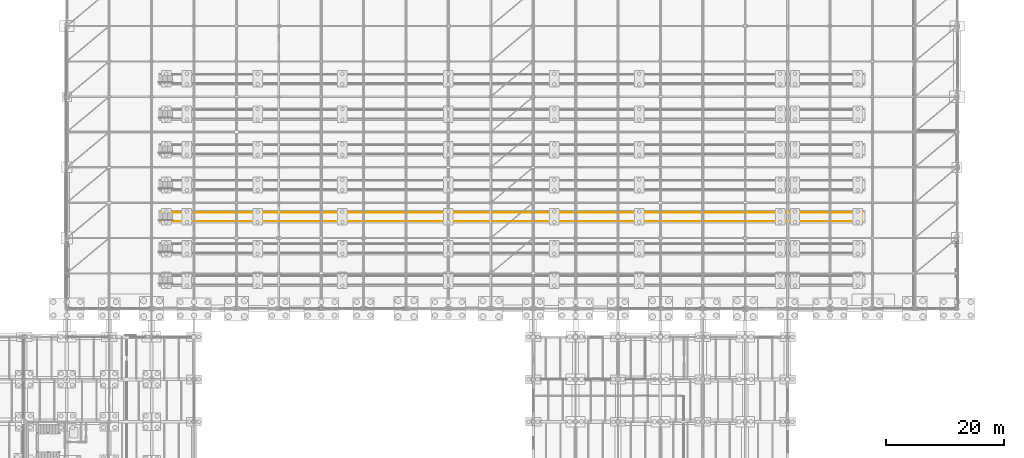
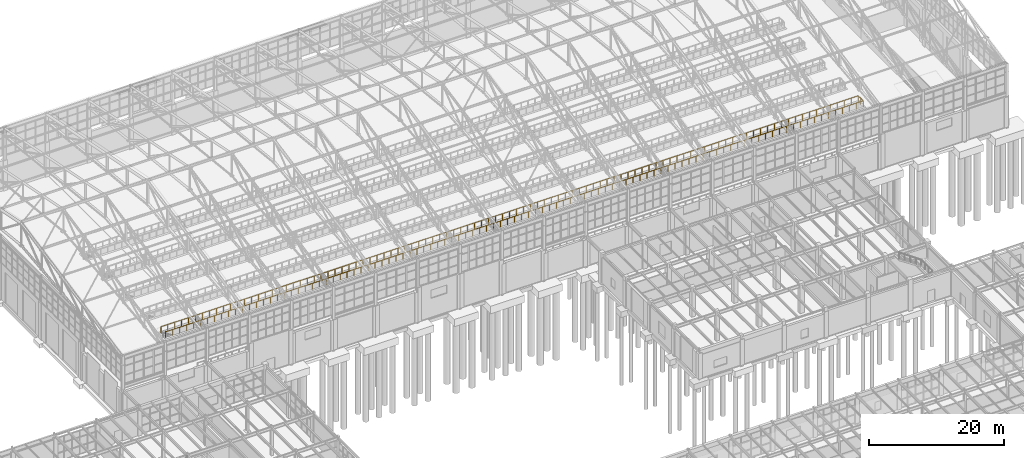
# One storey, part 284 of 293: 1 railing.
"""IFC4 building model written with IfcOpenShell, lengths in metres."""

from ifc_helpers import new_model, si_unit, direction, frame, origin, origin_2d, place, context, subcontext, project, spatial, circle, extrude, material, type_object, element, save


model = new_model("IFC4")

# Units and contexts
model_context = context("Model", 3, precision=1e-05, world=origin(), true_north=direction((0.0, 1.0)))
body_context = subcontext(model_context, "Body", "Model", "MODEL_VIEW")
ifc_project = project(units=[si_unit("LENGTHUNIT", "METRE"), si_unit("AREAUNIT", "SQUARE_METRE"), si_unit("VOLUMEUNIT", "CUBIC_METRE"), si_unit("PLANEANGLEUNIT", "RADIAN"), si_unit("MASSUNIT", "GRAM", prefix="KILO")], contexts=[model_context])

# Site, building, storey
site_placement = place(None, origin())
site = spatial("IfcSite", under=ifc_project, at=site_placement, CompositionType="ELEMENT")
building_placement = place(site_placement, origin())
building = spatial("IfcBuilding", under=site, at=building_placement, Name="Kemerveld Promenade Tramway Depot", CompositionType="ELEMENT")
storey_placement = place(building_placement, origin())
storey = spatial("IfcBuildingStorey", under=building, at=storey_placement, Name="L00", CompositionType="ELEMENT", Elevation=0.0)

# Railing
ifc_material = material(Name="Galvanised painted steel balustrade", Category="steel")
railing_type = type_object("IfcRailingType", Name="RL-GRD-1100", PredefinedType="GUARDRAIL", material=ifc_material)
railing_placement = place(storey_placement, frame((51.949951171875, 98.9951171875, 0.0)))
element("IfcRailing", 1, at=railing_placement, inside=storey, type_object=railing_type, Name="RL-PIT-PIT-03", PredefinedType="GUARDRAIL", context=body_context, shape_type="SweptSolid", body=[
    extrude(circle(Radius=0.02392578125, at=origin_2d()), frame((0.0, 0.0, 1.09619140625), z_axis=(0.0, -1.0, 0.0), x_axis=(1.0, 0.0, 0.0)), (0.0, 0.0, 1.0), 0.14501953125),
    extrude(circle(Radius=0.02392578125, at=origin_2d()), frame((0.0, -0.14501953125, 1.09619140625), z_axis=(1.0, 0.0, 0.0), x_axis=(0.0, 1.0, 0.0)), (0.0, 0.0, 1.0), 119.300048828125),
    extrude(circle(Radius=0.02392578125, at=origin_2d()), frame((119.300048828125, -0.14501953125, 1.09619140625), z_axis=(0.0, 1.0, 0.0), x_axis=(-1.0, 0.0, 0.0)), (0.0, 0.0, 1.0), 1.5),
    extrude(circle(Radius=0.02392578125, at=origin_2d()), frame((119.300048828125, 1.35498046875, 1.09619140625), z_axis=(-1.0, 0.0, 0.0), x_axis=(0.0, -1.0, 0.0)), (0.0, 0.0, 1.0), 119.300048828125),
    extrude(circle(Radius=0.02392578125, at=origin_2d()), frame((0.0, 1.35498046875, 1.09619140625), z_axis=(0.0, -1.0, 0.0), x_axis=(1.0, 0.0, 0.0)), (0.0, 0.0, 1.0), 0.14501953125),
    extrude(circle(Radius=0.02099609375, at=origin_2d()), origin(), (0.0, 0.0, 1.0), 1.072021484375),
    extrude(circle(Radius=0.02099609375, at=origin_2d()), frame((0.0, -0.14501953125, 0.0)), (0.0, 0.0, 1.0), 1.072021484375),
    extrude(circle(Radius=0.02099609375, at=origin_2d()), frame((1.193115234375, -0.14501953125, 0.0)), (0.0, 0.0, 1.0), 1.072021484375),
    extrude(circle(Radius=0.02099609375, at=origin_2d()), frame((2.385986328125, -0.14501953125, 0.0)), (0.0, 0.0, 1.0), 1.072021484375),
    extrude(circle(Radius=0.02099609375, at=origin_2d()), frame((3.5791015625, -0.14501953125, 0.0)), (0.0, 0.0, 1.0), 1.072021484375),
    extrude(circle(Radius=0.02099609375, at=origin_2d()), frame((4.77197265625, -0.14501953125, 0.0)), (0.0, 0.0, 1.0), 1.072021484375),
    extrude(circle(Radius=0.02099609375, at=origin_2d()), frame((5.965087890625, -0.14501953125, 0.0)), (0.0, 0.0, 1.0), 1.072021484375),
    extrude(circle(Radius=0.02099609375, at=origin_2d()), frame((7.157958984375, -0.14501953125, 0.0)), (0.0, 0.0, 1.0), 1.072021484375),
    extrude(circle(Radius=0.02099609375, at=origin_2d()), frame((8.35107421875, -0.14501953125, 0.0)), (0.0, 0.0, 1.0), 1.072021484375),
    extrude(circle(Radius=0.02099609375, at=origin_2d()), frame((9.5439453125, -0.14501953125, 0.0)), (0.0, 0.0, 1.0), 1.072021484375),
    extrude(circle(Radius=0.02099609375, at=origin_2d()), frame((10.737060546875, -0.14501953125, 0.0)), (0.0, 0.0, 1.0), 1.072021484375),
    extrude(circle(Radius=0.02099609375, at=origin_2d()), frame((11.929931640625, -0.14501953125, 0.0)), (0.0, 0.0, 1.0), 1.072021484375),
    extrude(circle(Radius=0.02099609375, at=origin_2d()), frame((13.123046875, -0.14501953125, 0.0)), (0.0, 0.0, 1.0), 1.072021484375),
    extrude(circle(Radius=0.02099609375, at=origin_2d()), frame((14.31591796875, -0.14501953125, 0.0)), (0.0, 0.0, 1.0), 1.072021484375),
    extrude(circle(Radius=0.02099609375, at=origin_2d()), frame((15.509033203125, -0.14501953125, 0.0)), (0.0, 0.0, 1.0), 1.072021484375),
    extrude(circle(Radius=0.02099609375, at=origin_2d()), frame((16.701904296875, -0.14501953125, 0.0)), (0.0, 0.0, 1.0), 1.072021484375),
    extrude(circle(Radius=0.02099609375, at=origin_2d()), frame((17.89501953125, -0.14501953125, 0.0)), (0.0, 0.0, 1.0), 1.072021484375),
    extrude(circle(Radius=0.02099609375, at=origin_2d()), frame((19.087890625, -0.14501953125, 0.0)), (0.0, 0.0, 1.0), 1.072021484375),
    extrude(circle(Radius=0.02099609375, at=origin_2d()), frame((20.281005859375, -0.14501953125, 0.0)), (0.0, 0.0, 1.0), 1.072021484375),
    extrude(circle(Radius=0.02099609375, at=origin_2d()), frame((21.47412109375, -0.14501953125, 0.0)), (0.0, 0.0, 1.0), 1.072021484375),
    extrude(circle(Radius=0.02099609375, at=origin_2d()), frame((22.6669921875, -0.14501953125, 0.0)), (0.0, 0.0, 1.0), 1.072021484375),
    extrude(circle(Radius=0.02099609375, at=origin_2d()), frame((23.860107421875, -0.14501953125, 0.0)), (0.0, 0.0, 1.0), 1.072021484375),
    extrude(circle(Radius=0.02099609375, at=origin_2d()), frame((25.052978515625, -0.14501953125, 0.0)), (0.0, 0.0, 1.0), 1.072021484375),
    extrude(circle(Radius=0.02099609375, at=origin_2d()), frame((26.24609375, -0.14501953125, 0.0)), (0.0, 0.0, 1.0), 1.072021484375),
    extrude(circle(Radius=0.02099609375, at=origin_2d()), frame((27.43896484375, -0.14501953125, 0.0)), (0.0, 0.0, 1.0), 1.072021484375),
    extrude(circle(Radius=0.02099609375, at=origin_2d()), frame((28.632080078125, -0.14501953125, 0.0)), (0.0, 0.0, 1.0), 1.072021484375),
    extrude(circle(Radius=0.02099609375, at=origin_2d()), frame((29.824951171875, -0.14501953125, 0.0)), (0.0, 0.0, 1.0), 1.072021484375),
    extrude(circle(Radius=0.02099609375, at=origin_2d()), frame((31.01806640625, -0.14501953125, 0.0)), (0.0, 0.0, 1.0), 1.072021484375),
    extrude(circle(Radius=0.02099609375, at=origin_2d()), frame((32.2109375, -0.14501953125, 0.0)), (0.0, 0.0, 1.0), 1.072021484375),
    extrude(circle(Radius=0.02099609375, at=origin_2d()), frame((33.404052734375, -0.14501953125, 0.0)), (0.0, 0.0, 1.0), 1.072021484375),
    extrude(circle(Radius=0.02099609375, at=origin_2d()), frame((34.596923828125, -0.14501953125, 0.0)), (0.0, 0.0, 1.0), 1.072021484375),
    extrude(circle(Radius=0.02099609375, at=origin_2d()), frame((35.7900390625, -0.14501953125, 0.0)), (0.0, 0.0, 1.0), 1.072021484375),
    extrude(circle(Radius=0.02099609375, at=origin_2d()), frame((36.98291015625, -0.14501953125, 0.0)), (0.0, 0.0, 1.0), 1.072021484375),
    extrude(circle(Radius=0.02099609375, at=origin_2d()), frame((38.176025390625, -0.14501953125, 0.0)), (0.0, 0.0, 1.0), 1.072021484375),
    extrude(circle(Radius=0.02099609375, at=origin_2d()), frame((39.368896484375, -0.14501953125, 0.0)), (0.0, 0.0, 1.0), 1.072021484375),
    extrude(circle(Radius=0.02099609375, at=origin_2d()), frame((40.56201171875, -0.14501953125, 0.0)), (0.0, 0.0, 1.0), 1.072021484375),
    extrude(circle(Radius=0.02099609375, at=origin_2d()), frame((41.755126953125, -0.14501953125, 0.0)), (0.0, 0.0, 1.0), 1.072021484375),
    extrude(circle(Radius=0.02099609375, at=origin_2d()), frame((42.947998046875, -0.14501953125, 0.0)), (0.0, 0.0, 1.0), 1.072021484375),
    extrude(circle(Radius=0.02099609375, at=origin_2d()), frame((44.14111328125, -0.14501953125, 0.0)), (0.0, 0.0, 1.0), 1.072021484375),
    extrude(circle(Radius=0.02099609375, at=origin_2d()), frame((45.333984375, -0.14501953125, 0.0)), (0.0, 0.0, 1.0), 1.072021484375),
    extrude(circle(Radius=0.02099609375, at=origin_2d()), frame((46.527099609375, -0.14501953125, 0.0)), (0.0, 0.0, 1.0), 1.072021484375),
    extrude(circle(Radius=0.02099609375, at=origin_2d()), frame((47.719970703125, -0.14501953125, 0.0)), (0.0, 0.0, 1.0), 1.072021484375),
    extrude(circle(Radius=0.02099609375, at=origin_2d()), frame((48.9130859375, -0.14501953125, 0.0)), (0.0, 0.0, 1.0), 1.072021484375),
    extrude(circle(Radius=0.02099609375, at=origin_2d()), frame((50.10595703125, -0.14501953125, 0.0)), (0.0, 0.0, 1.0), 1.072021484375),
    extrude(circle(Radius=0.02099609375, at=origin_2d()), frame((51.299072265625, -0.14501953125, 0.0)), (0.0, 0.0, 1.0), 1.072021484375),
    extrude(circle(Radius=0.02099609375, at=origin_2d()), frame((52.491943359375, -0.14501953125, 0.0)), (0.0, 0.0, 1.0), 1.072021484375),
    extrude(circle(Radius=0.02099609375, at=origin_2d()), frame((53.68505859375, -0.14501953125, 0.0)), (0.0, 0.0, 1.0), 1.072021484375),
    extrude(circle(Radius=0.02099609375, at=origin_2d()), frame((54.8779296875, -0.14501953125, 0.0)), (0.0, 0.0, 1.0), 1.072021484375),
    extrude(circle(Radius=0.02099609375, at=origin_2d()), frame((56.071044921875, -0.14501953125, 0.0)), (0.0, 0.0, 1.0), 1.072021484375),
    extrude(circle(Radius=0.02099609375, at=origin_2d()), frame((57.263916015625, -0.14501953125, 0.0)), (0.0, 0.0, 1.0), 1.072021484375),
    extrude(circle(Radius=0.02099609375, at=origin_2d()), frame((58.45703125, -0.14501953125, 0.0)), (0.0, 0.0, 1.0), 1.072021484375),
    extrude(circle(Radius=0.02099609375, at=origin_2d()), frame((59.64990234375, -0.14501953125, 0.0)), (0.0, 0.0, 1.0), 1.072021484375),
    extrude(circle(Radius=0.02099609375, at=origin_2d()), frame((60.843017578125, -0.14501953125, 0.0)), (0.0, 0.0, 1.0), 1.072021484375),
    extrude(circle(Radius=0.02099609375, at=origin_2d()), frame((62.0361328125, -0.14501953125, 0.0)), (0.0, 0.0, 1.0), 1.072021484375),
    extrude(circle(Radius=0.02099609375, at=origin_2d()), frame((63.22900390625, -0.14501953125, 0.0)), (0.0, 0.0, 1.0), 1.072021484375),
    extrude(circle(Radius=0.02099609375, at=origin_2d()), frame((64.422119140625, -0.14501953125, 0.0)), (0.0, 0.0, 1.0), 1.072021484375),
    extrude(circle(Radius=0.02099609375, at=origin_2d()), frame((65.614990234375, -0.14501953125, 0.0)), (0.0, 0.0, 1.0), 1.072021484375),
    extrude(circle(Radius=0.02099609375, at=origin_2d()), frame((66.80810546875, -0.14501953125, 0.0)), (0.0, 0.0, 1.0), 1.072021484375),
    extrude(circle(Radius=0.02099609375, at=origin_2d()), frame((68.0009765625, -0.14501953125, 0.0)), (0.0, 0.0, 1.0), 1.072021484375),
    extrude(circle(Radius=0.02099609375, at=origin_2d()), frame((69.194091796875, -0.14501953125, 0.0)), (0.0, 0.0, 1.0), 1.072021484375),
    extrude(circle(Radius=0.02099609375, at=origin_2d()), frame((70.386962890625, -0.14501953125, 0.0)), (0.0, 0.0, 1.0), 1.072021484375),
    extrude(circle(Radius=0.02099609375, at=origin_2d()), frame((71.580078125, -0.14501953125, 0.0)), (0.0, 0.0, 1.0), 1.072021484375),
    extrude(circle(Radius=0.02099609375, at=origin_2d()), frame((72.77294921875, -0.14501953125, 0.0)), (0.0, 0.0, 1.0), 1.072021484375),
    extrude(circle(Radius=0.02099609375, at=origin_2d()), frame((73.966064453125, -0.14501953125, 0.0)), (0.0, 0.0, 1.0), 1.072021484375),
    extrude(circle(Radius=0.02099609375, at=origin_2d()), frame((75.158935546875, -0.14501953125, 0.0)), (0.0, 0.0, 1.0), 1.072021484375),
    extrude(circle(Radius=0.02099609375, at=origin_2d()), frame((76.35205078125, -0.14501953125, 0.0)), (0.0, 0.0, 1.0), 1.072021484375),
    extrude(circle(Radius=0.02099609375, at=origin_2d()), frame((77.544921875, -0.14501953125, 0.0)), (0.0, 0.0, 1.0), 1.072021484375),
    extrude(circle(Radius=0.02099609375, at=origin_2d()), frame((78.738037109375, -0.14501953125, 0.0)), (0.0, 0.0, 1.0), 1.072021484375),
    extrude(circle(Radius=0.02099609375, at=origin_2d()), frame((79.93115234375, -0.14501953125, 0.0)), (0.0, 0.0, 1.0), 1.072021484375),
    extrude(circle(Radius=0.02099609375, at=origin_2d()), frame((81.1240234375, -0.14501953125, 0.0)), (0.0, 0.0, 1.0), 1.072021484375),
    extrude(circle(Radius=0.02099609375, at=origin_2d()), frame((82.317138671875, -0.14501953125, 0.0)), (0.0, 0.0, 1.0), 1.072021484375),
    extrude(circle(Radius=0.02099609375, at=origin_2d()), frame((83.510009765625, -0.14501953125, 0.0)), (0.0, 0.0, 1.0), 1.072021484375),
    extrude(circle(Radius=0.02099609375, at=origin_2d()), frame((84.703125, -0.14501953125, 0.0)), (0.0, 0.0, 1.0), 1.072021484375),
    extrude(circle(Radius=0.02099609375, at=origin_2d()), frame((85.89599609375, -0.14501953125, 0.0)), (0.0, 0.0, 1.0), 1.072021484375),
    extrude(circle(Radius=0.02099609375, at=origin_2d()), frame((87.089111328125, -0.14501953125, 0.0)), (0.0, 0.0, 1.0), 1.072021484375),
    extrude(circle(Radius=0.02099609375, at=origin_2d()), frame((88.281982421875, -0.14501953125, 0.0)), (0.0, 0.0, 1.0), 1.072021484375),
    extrude(circle(Radius=0.02099609375, at=origin_2d()), frame((89.47509765625, -0.14501953125, 0.0)), (0.0, 0.0, 1.0), 1.072021484375),
    extrude(circle(Radius=0.02099609375, at=origin_2d()), frame((90.66796875, -0.14501953125, 0.0)), (0.0, 0.0, 1.0), 1.072021484375),
    extrude(circle(Radius=0.02099609375, at=origin_2d()), frame((91.861083984375, -0.14501953125, 0.0)), (0.0, 0.0, 1.0), 1.072021484375),
    extrude(circle(Radius=0.02099609375, at=origin_2d()), frame((93.053955078125, -0.14501953125, 0.0)), (0.0, 0.0, 1.0), 1.072021484375),
    extrude(circle(Radius=0.02099609375, at=origin_2d()), frame((94.2470703125, -0.14501953125, 0.0)), (0.0, 0.0, 1.0), 1.072021484375),
    extrude(circle(Radius=0.02099609375, at=origin_2d()), frame((95.43994140625, -0.14501953125, 0.0)), (0.0, 0.0, 1.0), 1.072021484375),
    extrude(circle(Radius=0.02099609375, at=origin_2d()), frame((96.633056640625, -0.14501953125, 0.0)), (0.0, 0.0, 1.0), 1.072021484375),
    extrude(circle(Radius=0.02099609375, at=origin_2d()), frame((97.825927734375, -0.14501953125, 0.0)), (0.0, 0.0, 1.0), 1.072021484375),
    extrude(circle(Radius=0.02099609375, at=origin_2d()), frame((99.01904296875, -0.14501953125, 0.0)), (0.0, 0.0, 1.0), 1.072021484375),
    extrude(circle(Radius=0.02099609375, at=origin_2d()), frame((100.212158203125, -0.14501953125, 0.0)), (0.0, 0.0, 1.0), 1.072021484375),
    extrude(circle(Radius=0.02099609375, at=origin_2d()), frame((101.405029296875, -0.14501953125, 0.0)), (0.0, 0.0, 1.0), 1.072021484375),
    extrude(circle(Radius=0.02099609375, at=origin_2d()), frame((102.59814453125, -0.14501953125, 0.0)), (0.0, 0.0, 1.0), 1.072021484375),
    extrude(circle(Radius=0.02099609375, at=origin_2d()), frame((103.791015625, -0.14501953125, 0.0)), (0.0, 0.0, 1.0), 1.072021484375),
    extrude(circle(Radius=0.02099609375, at=origin_2d()), frame((104.984130859375, -0.14501953125, 0.0)), (0.0, 0.0, 1.0), 1.072021484375),
    extrude(circle(Radius=0.02099609375, at=origin_2d()), frame((106.177001953125, -0.14501953125, 0.0)), (0.0, 0.0, 1.0), 1.072021484375),
    extrude(circle(Radius=0.02099609375, at=origin_2d()), frame((107.3701171875, -0.14501953125, 0.0)), (0.0, 0.0, 1.0), 1.072021484375),
    extrude(circle(Radius=0.02099609375, at=origin_2d()), frame((108.56298828125, -0.14501953125, 0.0)), (0.0, 0.0, 1.0), 1.072021484375),
    extrude(circle(Radius=0.02099609375, at=origin_2d()), frame((109.756103515625, -0.14501953125, 0.0)), (0.0, 0.0, 1.0), 1.072021484375),
    extrude(circle(Radius=0.02099609375, at=origin_2d()), frame((110.948974609375, -0.14501953125, 0.0)), (0.0, 0.0, 1.0), 1.072021484375),
    extrude(circle(Radius=0.02099609375, at=origin_2d()), frame((112.14208984375, -0.14501953125, 0.0)), (0.0, 0.0, 1.0), 1.072021484375),
    extrude(circle(Radius=0.02099609375, at=origin_2d()), frame((113.3349609375, -0.14501953125, 0.0)), (0.0, 0.0, 1.0), 1.072021484375),
    extrude(circle(Radius=0.02099609375, at=origin_2d()), frame((114.528076171875, -0.14501953125, 0.0)), (0.0, 0.0, 1.0), 1.072021484375),
    extrude(circle(Radius=0.02099609375, at=origin_2d()), frame((115.720947265625, -0.14501953125, 0.0)), (0.0, 0.0, 1.0), 1.072021484375),
    extrude(circle(Radius=0.02099609375, at=origin_2d()), frame((116.9140625, -0.14501953125, 0.0)), (0.0, 0.0, 1.0), 1.072021484375),
    extrude(circle(Radius=0.02099609375, at=origin_2d()), frame((118.10693359375, -0.14501953125, 0.0)), (0.0, 0.0, 1.0), 1.072021484375),
    extrude(circle(Radius=0.02099609375, at=origin_2d()), frame((119.300048828125, -0.14501953125, 0.0)), (0.0, 0.0, 1.0), 1.072021484375),
    extrude(circle(Radius=0.02099609375, at=origin_2d()), frame((119.300048828125, 0.60498046875, 0.0)), (0.0, 0.0, 1.0), 1.072021484375),
    extrude(circle(Radius=0.02099609375, at=origin_2d()), frame((119.300048828125, 1.35498046875, 0.0)), (0.0, 0.0, 1.0), 1.072021484375),
    extrude(circle(Radius=0.02099609375, at=origin_2d()), frame((118.10693359375, 1.35498046875, 0.0)), (0.0, 0.0, 1.0), 1.072021484375),
    extrude(circle(Radius=0.02099609375, at=origin_2d()), frame((116.9140625, 1.35498046875, 0.0)), (0.0, 0.0, 1.0), 1.072021484375),
    extrude(circle(Radius=0.02099609375, at=origin_2d()), frame((115.720947265625, 1.35498046875, 0.0)), (0.0, 0.0, 1.0), 1.072021484375),
    extrude(circle(Radius=0.02099609375, at=origin_2d()), frame((114.528076171875, 1.35498046875, 0.0)), (0.0, 0.0, 1.0), 1.072021484375),
    extrude(circle(Radius=0.02099609375, at=origin_2d()), frame((113.3349609375, 1.35498046875, 0.0)), (0.0, 0.0, 1.0), 1.072021484375),
    extrude(circle(Radius=0.02099609375, at=origin_2d()), frame((112.14208984375, 1.35498046875, 0.0)), (0.0, 0.0, 1.0), 1.072021484375),
    extrude(circle(Radius=0.02099609375, at=origin_2d()), frame((110.948974609375, 1.35498046875, 0.0)), (0.0, 0.0, 1.0), 1.072021484375),
    extrude(circle(Radius=0.02099609375, at=origin_2d()), frame((109.756103515625, 1.35498046875, 0.0)), (0.0, 0.0, 1.0), 1.072021484375),
    extrude(circle(Radius=0.02099609375, at=origin_2d()), frame((108.56298828125, 1.35498046875, 0.0)), (0.0, 0.0, 1.0), 1.072021484375),
    extrude(circle(Radius=0.02099609375, at=origin_2d()), frame((107.3701171875, 1.35498046875, 0.0)), (0.0, 0.0, 1.0), 1.072021484375),
    extrude(circle(Radius=0.02099609375, at=origin_2d()), frame((106.177001953125, 1.35498046875, 0.0)), (0.0, 0.0, 1.0), 1.072021484375),
    extrude(circle(Radius=0.02099609375, at=origin_2d()), frame((104.984130859375, 1.35498046875, 0.0)), (0.0, 0.0, 1.0), 1.072021484375),
    extrude(circle(Radius=0.02099609375, at=origin_2d()), frame((103.791015625, 1.35498046875, 0.0)), (0.0, 0.0, 1.0), 1.072021484375),
    extrude(circle(Radius=0.02099609375, at=origin_2d()), frame((102.59814453125, 1.35498046875, 0.0)), (0.0, 0.0, 1.0), 1.072021484375),
    extrude(circle(Radius=0.02099609375, at=origin_2d()), frame((101.405029296875, 1.35498046875, 0.0)), (0.0, 0.0, 1.0), 1.072021484375),
    extrude(circle(Radius=0.02099609375, at=origin_2d()), frame((100.212158203125, 1.35498046875, 0.0)), (0.0, 0.0, 1.0), 1.072021484375),
    extrude(circle(Radius=0.02099609375, at=origin_2d()), frame((99.01904296875, 1.35498046875, 0.0)), (0.0, 0.0, 1.0), 1.072021484375),
    extrude(circle(Radius=0.02099609375, at=origin_2d()), frame((97.825927734375, 1.35498046875, 0.0)), (0.0, 0.0, 1.0), 1.072021484375),
    extrude(circle(Radius=0.02099609375, at=origin_2d()), frame((96.633056640625, 1.35498046875, 0.0)), (0.0, 0.0, 1.0), 1.072021484375),
    extrude(circle(Radius=0.02099609375, at=origin_2d()), frame((95.43994140625, 1.35498046875, 0.0)), (0.0, 0.0, 1.0), 1.072021484375),
    extrude(circle(Radius=0.02099609375, at=origin_2d()), frame((94.2470703125, 1.35498046875, 0.0)), (0.0, 0.0, 1.0), 1.072021484375),
    extrude(circle(Radius=0.02099609375, at=origin_2d()), frame((93.053955078125, 1.35498046875, 0.0)), (0.0, 0.0, 1.0), 1.072021484375),
    extrude(circle(Radius=0.02099609375, at=origin_2d()), frame((91.861083984375, 1.35498046875, 0.0)), (0.0, 0.0, 1.0), 1.072021484375),
    extrude(circle(Radius=0.02099609375, at=origin_2d()), frame((90.66796875, 1.35498046875, 0.0)), (0.0, 0.0, 1.0), 1.072021484375),
    extrude(circle(Radius=0.02099609375, at=origin_2d()), frame((89.47509765625, 1.35498046875, 0.0)), (0.0, 0.0, 1.0), 1.072021484375),
    extrude(circle(Radius=0.02099609375, at=origin_2d()), frame((88.281982421875, 1.35498046875, 0.0)), (0.0, 0.0, 1.0), 1.072021484375),
    extrude(circle(Radius=0.02099609375, at=origin_2d()), frame((87.089111328125, 1.35498046875, 0.0)), (0.0, 0.0, 1.0), 1.072021484375),
    extrude(circle(Radius=0.02099609375, at=origin_2d()), frame((85.89599609375, 1.35498046875, 0.0)), (0.0, 0.0, 1.0), 1.072021484375),
    extrude(circle(Radius=0.02099609375, at=origin_2d()), frame((84.703125, 1.35498046875, 0.0)), (0.0, 0.0, 1.0), 1.072021484375),
    extrude(circle(Radius=0.02099609375, at=origin_2d()), frame((83.510009765625, 1.35498046875, 0.0)), (0.0, 0.0, 1.0), 1.072021484375),
    extrude(circle(Radius=0.02099609375, at=origin_2d()), frame((82.317138671875, 1.35498046875, 0.0)), (0.0, 0.0, 1.0), 1.072021484375),
    extrude(circle(Radius=0.02099609375, at=origin_2d()), frame((81.1240234375, 1.35498046875, 0.0)), (0.0, 0.0, 1.0), 1.072021484375),
    extrude(circle(Radius=0.02099609375, at=origin_2d()), frame((79.93115234375, 1.35498046875, 0.0)), (0.0, 0.0, 1.0), 1.072021484375),
    extrude(circle(Radius=0.02099609375, at=origin_2d()), frame((78.738037109375, 1.35498046875, 0.0)), (0.0, 0.0, 1.0), 1.072021484375),
    extrude(circle(Radius=0.02099609375, at=origin_2d()), frame((77.544921875, 1.35498046875, 0.0)), (0.0, 0.0, 1.0), 1.072021484375),
    extrude(circle(Radius=0.02099609375, at=origin_2d()), frame((76.35205078125, 1.35498046875, 0.0)), (0.0, 0.0, 1.0), 1.072021484375),
    extrude(circle(Radius=0.02099609375, at=origin_2d()), frame((75.158935546875, 1.35498046875, 0.0)), (0.0, 0.0, 1.0), 1.072021484375),
    extrude(circle(Radius=0.02099609375, at=origin_2d()), frame((73.966064453125, 1.35498046875, 0.0)), (0.0, 0.0, 1.0), 1.072021484375),
    extrude(circle(Radius=0.02099609375, at=origin_2d()), frame((72.77294921875, 1.35498046875, 0.0)), (0.0, 0.0, 1.0), 1.072021484375),
    extrude(circle(Radius=0.02099609375, at=origin_2d()), frame((71.580078125, 1.35498046875, 0.0)), (0.0, 0.0, 1.0), 1.072021484375),
    extrude(circle(Radius=0.02099609375, at=origin_2d()), frame((70.386962890625, 1.35498046875, 0.0)), (0.0, 0.0, 1.0), 1.072021484375),
    extrude(circle(Radius=0.02099609375, at=origin_2d()), frame((69.194091796875, 1.35498046875, 0.0)), (0.0, 0.0, 1.0), 1.072021484375),
    extrude(circle(Radius=0.02099609375, at=origin_2d()), frame((68.0009765625, 1.35498046875, 0.0)), (0.0, 0.0, 1.0), 1.072021484375),
    extrude(circle(Radius=0.02099609375, at=origin_2d()), frame((66.80810546875, 1.35498046875, 0.0)), (0.0, 0.0, 1.0), 1.072021484375),
    extrude(circle(Radius=0.02099609375, at=origin_2d()), frame((65.614990234375, 1.35498046875, 0.0)), (0.0, 0.0, 1.0), 1.072021484375),
    extrude(circle(Radius=0.02099609375, at=origin_2d()), frame((64.422119140625, 1.35498046875, 0.0)), (0.0, 0.0, 1.0), 1.072021484375),
    extrude(circle(Radius=0.02099609375, at=origin_2d()), frame((63.22900390625, 1.35498046875, 0.0)), (0.0, 0.0, 1.0), 1.072021484375),
    extrude(circle(Radius=0.02099609375, at=origin_2d()), frame((62.0361328125, 1.35498046875, 0.0)), (0.0, 0.0, 1.0), 1.072021484375),
    extrude(circle(Radius=0.02099609375, at=origin_2d()), frame((60.843017578125, 1.35498046875, 0.0)), (0.0, 0.0, 1.0), 1.072021484375),
    extrude(circle(Radius=0.02099609375, at=origin_2d()), frame((59.64990234375, 1.35498046875, 0.0)), (0.0, 0.0, 1.0), 1.072021484375),
    extrude(circle(Radius=0.02099609375, at=origin_2d()), frame((58.45703125, 1.35498046875, 0.0)), (0.0, 0.0, 1.0), 1.072021484375),
    extrude(circle(Radius=0.02099609375, at=origin_2d()), frame((57.263916015625, 1.35498046875, 0.0)), (0.0, 0.0, 1.0), 1.072021484375),
    extrude(circle(Radius=0.02099609375, at=origin_2d()), frame((56.071044921875, 1.35498046875, 0.0)), (0.0, 0.0, 1.0), 1.072021484375),
    extrude(circle(Radius=0.02099609375, at=origin_2d()), frame((54.8779296875, 1.35498046875, 0.0)), (0.0, 0.0, 1.0), 1.072021484375),
    extrude(circle(Radius=0.02099609375, at=origin_2d()), frame((53.68505859375, 1.35498046875, 0.0)), (0.0, 0.0, 1.0), 1.072021484375),
    extrude(circle(Radius=0.02099609375, at=origin_2d()), frame((52.491943359375, 1.35498046875, 0.0)), (0.0, 0.0, 1.0), 1.072021484375),
    extrude(circle(Radius=0.02099609375, at=origin_2d()), frame((51.299072265625, 1.35498046875, 0.0)), (0.0, 0.0, 1.0), 1.072021484375),
    extrude(circle(Radius=0.02099609375, at=origin_2d()), frame((50.10595703125, 1.35498046875, 0.0)), (0.0, 0.0, 1.0), 1.072021484375),
    extrude(circle(Radius=0.02099609375, at=origin_2d()), frame((48.9130859375, 1.35498046875, 0.0)), (0.0, 0.0, 1.0), 1.072021484375),
    extrude(circle(Radius=0.02099609375, at=origin_2d()), frame((47.719970703125, 1.35498046875, 0.0)), (0.0, 0.0, 1.0), 1.072021484375),
    extrude(circle(Radius=0.02099609375, at=origin_2d()), frame((46.527099609375, 1.35498046875, 0.0)), (0.0, 0.0, 1.0), 1.072021484375),
    extrude(circle(Radius=0.02099609375, at=origin_2d()), frame((45.333984375, 1.35498046875, 0.0)), (0.0, 0.0, 1.0), 1.072021484375),
    extrude(circle(Radius=0.02099609375, at=origin_2d()), frame((44.14111328125, 1.35498046875, 0.0)), (0.0, 0.0, 1.0), 1.072021484375),
    extrude(circle(Radius=0.02099609375, at=origin_2d()), frame((42.947998046875, 1.35498046875, 0.0)), (0.0, 0.0, 1.0), 1.072021484375),
    extrude(circle(Radius=0.02099609375, at=origin_2d()), frame((41.755126953125, 1.35498046875, 0.0)), (0.0, 0.0, 1.0), 1.072021484375),
    extrude(circle(Radius=0.02099609375, at=origin_2d()), frame((40.56201171875, 1.35498046875, 0.0)), (0.0, 0.0, 1.0), 1.072021484375),
    extrude(circle(Radius=0.02099609375, at=origin_2d()), frame((39.368896484375, 1.35498046875, 0.0)), (0.0, 0.0, 1.0), 1.072021484375),
    extrude(circle(Radius=0.02099609375, at=origin_2d()), frame((38.176025390625, 1.35498046875, 0.0)), (0.0, 0.0, 1.0), 1.072021484375),
    extrude(circle(Radius=0.02099609375, at=origin_2d()), frame((36.98291015625, 1.35498046875, 0.0)), (0.0, 0.0, 1.0), 1.072021484375),
    extrude(circle(Radius=0.02099609375, at=origin_2d()), frame((35.7900390625, 1.35498046875, 0.0)), (0.0, 0.0, 1.0), 1.072021484375),
    extrude(circle(Radius=0.02099609375, at=origin_2d()), frame((34.596923828125, 1.35498046875, 0.0)), (0.0, 0.0, 1.0), 1.072021484375),
    extrude(circle(Radius=0.02099609375, at=origin_2d()), frame((33.404052734375, 1.35498046875, 0.0)), (0.0, 0.0, 1.0), 1.072021484375),
    extrude(circle(Radius=0.02099609375, at=origin_2d()), frame((32.2109375, 1.35498046875, 0.0)), (0.0, 0.0, 1.0), 1.072021484375),
    extrude(circle(Radius=0.02099609375, at=origin_2d()), frame((31.01806640625, 1.35498046875, 0.0)), (0.0, 0.0, 1.0), 1.072021484375),
    extrude(circle(Radius=0.02099609375, at=origin_2d()), frame((29.824951171875, 1.35498046875, 0.0)), (0.0, 0.0, 1.0), 1.072021484375),
    extrude(circle(Radius=0.02099609375, at=origin_2d()), frame((28.632080078125, 1.35498046875, 0.0)), (0.0, 0.0, 1.0), 1.072021484375),
    extrude(circle(Radius=0.02099609375, at=origin_2d()), frame((27.43896484375, 1.35498046875, 0.0)), (0.0, 0.0, 1.0), 1.072021484375),
    extrude(circle(Radius=0.02099609375, at=origin_2d()), frame((26.24609375, 1.35498046875, 0.0)), (0.0, 0.0, 1.0), 1.072021484375),
    extrude(circle(Radius=0.02099609375, at=origin_2d()), frame((25.052978515625, 1.35498046875, 0.0)), (0.0, 0.0, 1.0), 1.072021484375),
    extrude(circle(Radius=0.02099609375, at=origin_2d()), frame((23.860107421875, 1.35498046875, 0.0)), (0.0, 0.0, 1.0), 1.072021484375),
    extrude(circle(Radius=0.02099609375, at=origin_2d()), frame((22.6669921875, 1.35498046875, 0.0)), (0.0, 0.0, 1.0), 1.072021484375),
    extrude(circle(Radius=0.02099609375, at=origin_2d()), frame((21.47412109375, 1.35498046875, 0.0)), (0.0, 0.0, 1.0), 1.072021484375),
    extrude(circle(Radius=0.02099609375, at=origin_2d()), frame((20.281005859375, 1.35498046875, 0.0)), (0.0, 0.0, 1.0), 1.072021484375),
    extrude(circle(Radius=0.02099609375, at=origin_2d()), frame((19.087890625, 1.35498046875, 0.0)), (0.0, 0.0, 1.0), 1.072021484375),
    extrude(circle(Radius=0.02099609375, at=origin_2d()), frame((17.89501953125, 1.35498046875, 0.0)), (0.0, 0.0, 1.0), 1.072021484375),
    extrude(circle(Radius=0.02099609375, at=origin_2d()), frame((16.701904296875, 1.35498046875, 0.0)), (0.0, 0.0, 1.0), 1.072021484375),
    extrude(circle(Radius=0.02099609375, at=origin_2d()), frame((15.509033203125, 1.35498046875, 0.0)), (0.0, 0.0, 1.0), 1.072021484375),
    extrude(circle(Radius=0.02099609375, at=origin_2d()), frame((14.31591796875, 1.35498046875, 0.0)), (0.0, 0.0, 1.0), 1.072021484375),
    extrude(circle(Radius=0.02099609375, at=origin_2d()), frame((13.123046875, 1.35498046875, 0.0)), (0.0, 0.0, 1.0), 1.072021484375),
    extrude(circle(Radius=0.02099609375, at=origin_2d()), frame((11.929931640625, 1.35498046875, 0.0)), (0.0, 0.0, 1.0), 1.072021484375),
    extrude(circle(Radius=0.02099609375, at=origin_2d()), frame((10.737060546875, 1.35498046875, 0.0)), (0.0, 0.0, 1.0), 1.072021484375),
    extrude(circle(Radius=0.02099609375, at=origin_2d()), frame((9.5439453125, 1.35498046875, 0.0)), (0.0, 0.0, 1.0), 1.072021484375),
    extrude(circle(Radius=0.02099609375, at=origin_2d()), frame((8.35107421875, 1.35498046875, 0.0)), (0.0, 0.0, 1.0), 1.072021484375),
    extrude(circle(Radius=0.02099609375, at=origin_2d()), frame((7.157958984375, 1.35498046875, 0.0)), (0.0, 0.0, 1.0), 1.072021484375),
    extrude(circle(Radius=0.02099609375, at=origin_2d()), frame((5.965087890625, 1.35498046875, 0.0)), (0.0, 0.0, 1.0), 1.072021484375),
    extrude(circle(Radius=0.02099609375, at=origin_2d()), frame((4.77197265625, 1.35498046875, 0.0)), (0.0, 0.0, 1.0), 1.072021484375),
    extrude(circle(Radius=0.02099609375, at=origin_2d()), frame((3.5791015625, 1.35498046875, 0.0)), (0.0, 0.0, 1.0), 1.072021484375),
    extrude(circle(Radius=0.02099609375, at=origin_2d()), frame((2.385986328125, 1.35498046875, 0.0)), (0.0, 0.0, 1.0), 1.072021484375),
    extrude(circle(Radius=0.02099609375, at=origin_2d()), frame((1.193115234375, 1.35498046875, 0.0)), (0.0, 0.0, 1.0), 1.072021484375),
    extrude(circle(Radius=0.02099609375, at=origin_2d()), frame((0.0, 1.35498046875, 0.0)), (0.0, 0.0, 1.0), 1.072021484375),
    extrude(circle(Radius=0.02099609375, at=origin_2d()), frame((0.0, 1.2099609375, 0.0)), (0.0, 0.0, 1.0), 1.072021484375),
])

save(model, "model.ifc")
